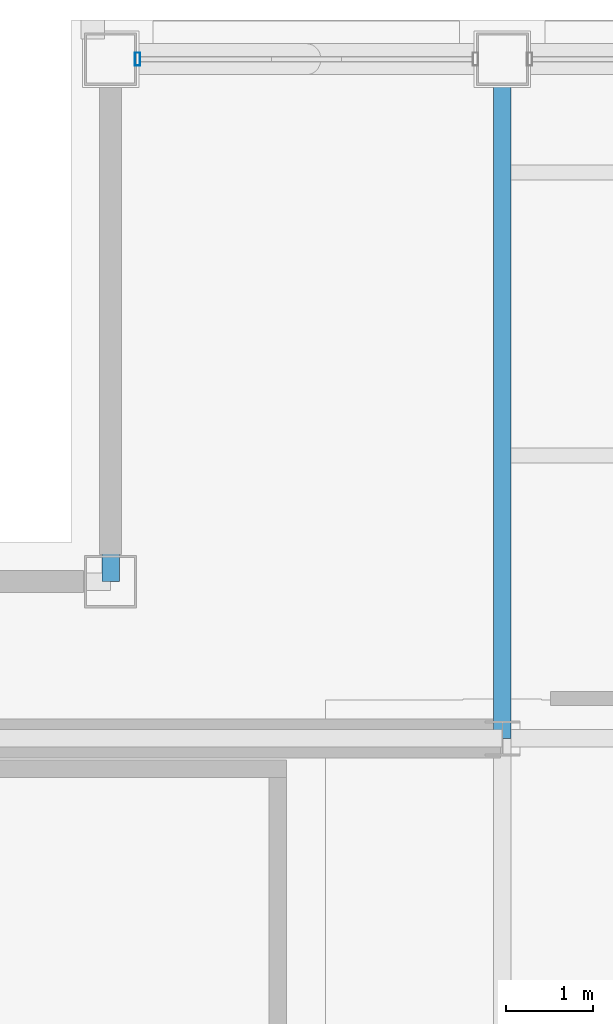
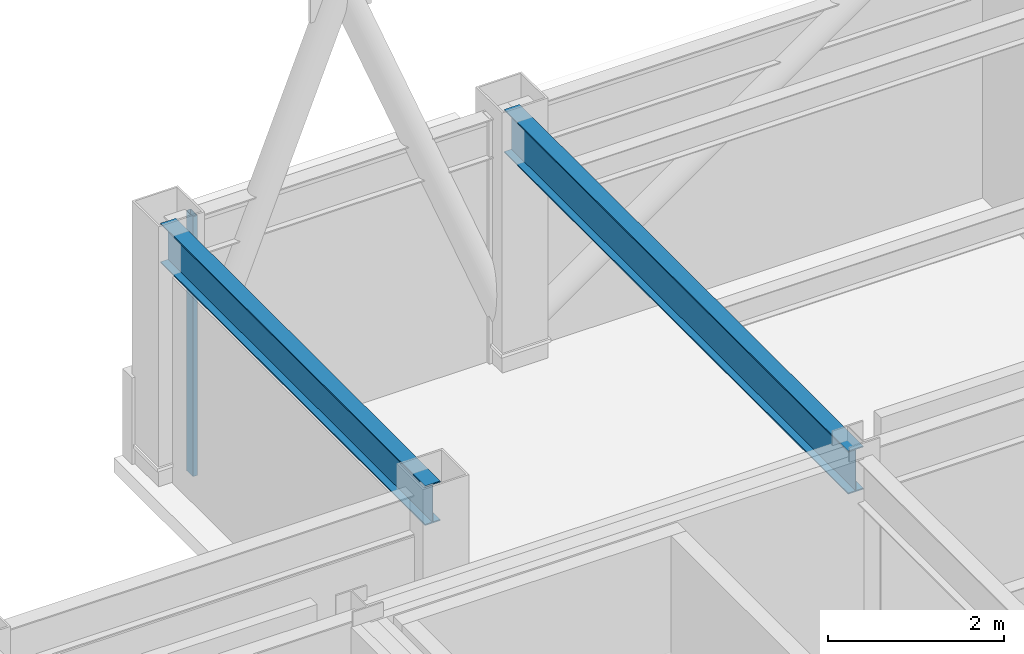
# One storey, part 15 of 24: 2 beams, 1 member, 1 element without a shape of its own.
"""IFC4 building model written with IfcOpenShell, lengths in metres."""

from ifc_helpers import new_model, si_unit, direction, frame, origin, origin_2d, place, context, subcontext, project, spatial, hollow_rectangle, i_section, extrude, material, layer, layer_set, material_profile, profile_set, type_object, element, aggregate, save


model = new_model("IFC4")

# Units and contexts
model_context = context("Model", 3, precision=1e-05, world=origin(), true_north=direction((0.0, 1.0)))
body_context = subcontext(model_context, "Body", "Model", "MODEL_VIEW")
ifc_project = project(units=[si_unit("LENGTHUNIT", "METRE"), si_unit("AREAUNIT", "SQUARE_METRE"), si_unit("VOLUMEUNIT", "CUBIC_METRE"), si_unit("PLANEANGLEUNIT", "RADIAN"), si_unit("MASSUNIT", "GRAM", prefix="KILO")], contexts=[model_context])

# Site, building, storey
site_placement = place(None, origin())
site = spatial("IfcSite", under=ifc_project, at=site_placement, CompositionType="ELEMENT")
building_placement = place(site_placement, origin())
building = spatial("IfcBuilding", under=site, at=building_placement, Name="Brelmoor Portico Tower", CompositionType="ELEMENT")
storey_placement = place(building_placement, frame((0.0, 0.0, 268.800048828125)))
storey = spatial("IfcBuildingStorey", under=building, at=storey_placement, Name="L71", CompositionType="ELEMENT", Elevation=268.800048828125)

# Beams
ifc_material_1 = material(Name="Steel Q355B", Category="steel")
ifc_material_profile_1 = material_profile(ifc_material_1, i_section(OverallWidth=0.199951171875, OverallDepth=0.60009765625, WebThickness=0.010986328125, FlangeThickness=0.01708984375, at=origin_2d()), Name="HN 600x200x11x17")
ifc_profile_set_1 = profile_set([ifc_material_profile_1], Name="Steel Q355B")
beam_type_1 = type_object("IfcBeamType", Name="BM-PG-600", PredefinedType="BEAM", material=ifc_profile_set_1)
beam_1_placement = place(storey_placement, frame((-8.050048828125, 9.75, 3.099853515625), z_axis=(0.0, 1.0, 0.0), x_axis=(-1.0, 0.0, 0.0)))
element("IfcBeam", 1, at=beam_1_placement, inside=storey, type_object=beam_type_1, Name="L71 Primary Floor Girder PG-05", PredefinedType="BEAM", context=body_context, shape_type="SweptSolid", body=[
    extrude(i_section(OverallWidth=0.199951171875, OverallDepth=0.60009765625, WebThickness=0.010986328125, FlangeThickness=0.01708984375, at=origin_2d()), origin(), (0.0, 0.0, 1.0), 7.800048828125),
])
ifc_material_profile_2 = material_profile(ifc_material_1, i_section(OverallWidth=0.199951171875, OverallDepth=0.550048828125, WebThickness=0.010009765625, FlangeThickness=0.01611328125, at=origin_2d()), Name="HN 550x200x10x16")
ifc_profile_set_2 = profile_set([ifc_material_profile_2], Name="Steel Q355B")
beam_type_2 = type_object("IfcBeamType", Name="BM-SP-550", PredefinedType="SPANDREL", material=ifc_profile_set_2)
beam_2_placement = place(storey_placement, frame((-12.550048828125, 11.550048828125, 3.125), z_axis=(0.0, 1.0, 0.0), x_axis=(-1.0, 0.0, 0.0)))
element("IfcBeam", 2, at=beam_2_placement, inside=storey, type_object=beam_type_2, Name="L71 Perimeter Spandrel Beam SP-15", PredefinedType="SPANDREL", context=body_context, shape_type="SweptSolid", body=[
    extrude(i_section(OverallWidth=0.199951171875, OverallDepth=0.550048828125, WebThickness=0.010009765625, FlangeThickness=0.01611328125, at=origin_2d()), origin(), (0.0, 0.0, 1.0), 6.0),
])

# Curtain wall, member
ifc_material_2 = material(Name="Anodised Aluminium Alloy 6063-T6", Category="aluminium")
ifc_layer = layer(ifc_material_2, 0.179931640625)
ifc_layer_set = layer_set([ifc_layer], Name="Anodised Aluminium Alloy 6063-T6")
curtain_wall_type = type_object("IfcCurtainWallType", Name="CW-TOWER-Z4-XB", PredefinedType="NOTDEFINED", material=ifc_layer_set)
curtain_wall_placement = place(storey_placement, origin())
curtain_wall = element("IfcCurtainWall", 3, at=curtain_wall_placement, inside=storey, type_object=curtain_wall_type, Name="L71 Curtain Wall CW-L71-02-1", PredefinedType="NOTDEFINED")
ifc_material_profile_3 = material_profile(ifc_material_2, hollow_rectangle(XDim=0.06005859375, YDim=0.14990234375, WallThickness=0.00390625, at=origin_2d()), Name="ALU MULLION 60x150")
ifc_profile_set_3 = profile_set([ifc_material_profile_3], Name="Anodised Aluminium Alloy 6063-T6")
member_type = type_object("IfcMemberType", Name="MB-CW-MULL-150", PredefinedType="MULLION", material=ifc_profile_set_3)
member_placement = place(storey_placement, frame((-12.239990234375, 17.550048828125, -0.199951171875), z_axis=(0.0, 0.0, 1.0), x_axis=(1.0, 0.0, 0.0)))
member = element("IfcMember", 4, at=member_placement, type_object=member_type, Name="CW-L71-02-1 Mullion 00", PredefinedType="MULLION", context=body_context, shape_type="SweptSolid", body=[
    extrude(hollow_rectangle(XDim=0.06005859375, YDim=0.14990234375, WallThickness=0.00390625, at=origin_2d()), origin(), (0.0, 0.0, 1.0), 3.599853515625),
])
aggregate(curtain_wall, [member])

save(model, "model.ifc")
